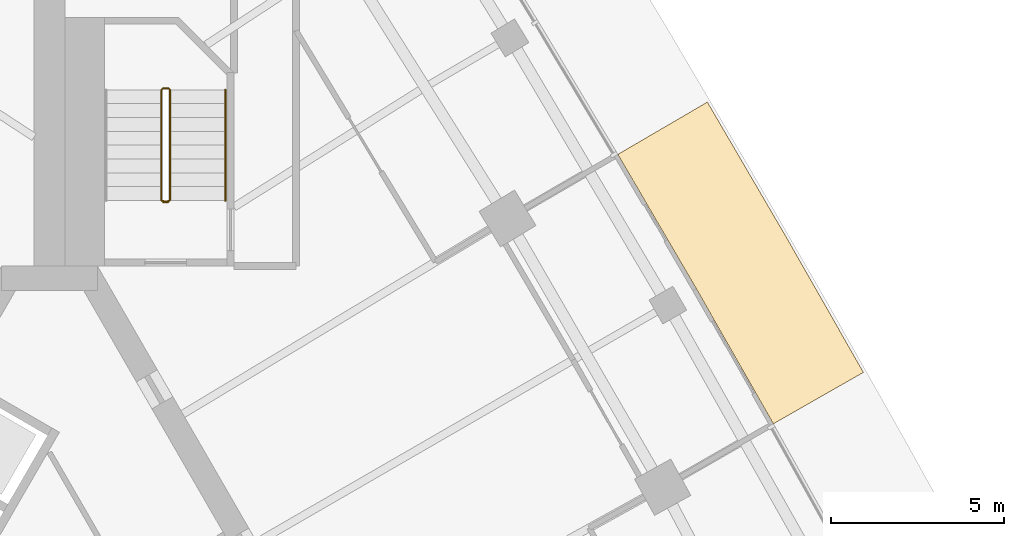
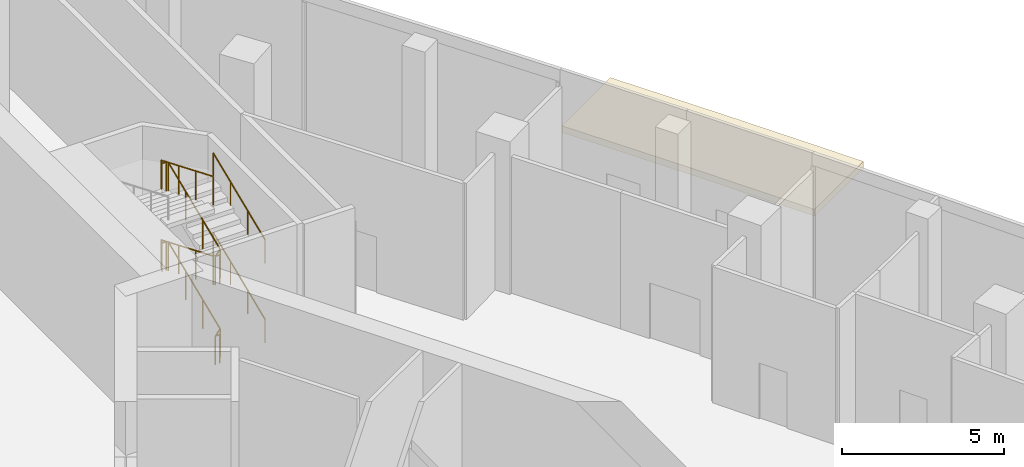
# One storey, part 13 of 14: 3 railings, 1 covering.
"""IFC4 building model written with IfcOpenShell, lengths in metres."""

from ifc_helpers import new_model, si_unit, direction, frame, origin, origin_2d, place, context, subcontext, project, spatial, polyline, circle, outline, extrude, material, layer, layer_set, type_object, element, save


model = new_model("IFC4")

# Units and contexts
model_context = context("Model", 3, precision=1e-05, world=origin(), true_north=direction((0.0, 1.0)))
body_context = subcontext(model_context, "Body", "Model", "MODEL_VIEW")
ifc_project = project(units=[si_unit("LENGTHUNIT", "METRE"), si_unit("AREAUNIT", "SQUARE_METRE"), si_unit("VOLUMEUNIT", "CUBIC_METRE"), si_unit("PLANEANGLEUNIT", "RADIAN"), si_unit("MASSUNIT", "GRAM", prefix="KILO")], contexts=[model_context])

# Site, building, storey
site_placement = place(None, origin())
site = spatial("IfcSite", under=ifc_project, at=site_placement, CompositionType="ELEMENT")
building_placement = place(site_placement, origin())
building = spatial("IfcBuilding", under=site, at=building_placement, Name="Noor Cloister Tower", CompositionType="ELEMENT")
storey_placement = place(building_placement, origin())
storey = spatial("IfcBuildingStorey", under=building, at=storey_placement, Name="L00", CompositionType="ELEMENT", Elevation=0.0)

# Railings
ifc_material_1 = material(Name="Stainless steel", Category="steel")
railing_type_1 = type_object("IfcRailingType", Name="Stair guard 1100", PredefinedType="GUARDRAIL", material=ifc_material_1)
railing_placement = place(storey_placement, frame((3.435546875, 13.306396484375, 0.0)))
element("IfcRailing", 1, at=railing_placement, inside=storey, type_object=railing_type_1, Name="Stair guard ST1 L00", PredefinedType="GUARDRAIL", context=body_context, shape_type="SweptSolid", body=[
    extrude(circle(Radius=0.02392578125, at=origin_2d()), frame((0.0, 0.0, 1.076171875), z_axis=(-1.0, 0.0, 0.0), x_axis=(0.0, -1.0, 0.0)), (0.0, 0.0, 1.0), 0.14990234375),
    extrude(circle(Radius=0.02392578125, at=origin_2d()), frame((-0.14990234375, 0.0, 1.076171875), z_axis=(0.754182335027, 0.188775798145, 0.628945707965), x_axis=(-0.242814311512, 0.970072785993, 0.0)), (0.0, 0.0, 1.0), 0.26513671875),
    extrude(circle(Radius=0.02392578125, at=origin_2d()), frame((0.050048828125, 0.050048828125, 1.24267578125), z_axis=(0.0, 0.923083173848, 0.384600382421), x_axis=(-1.0, 0.0, 0.0)), (0.0, 0.0, 1.0), 3.466552734375),
    extrude(circle(Radius=0.02392578125, at=origin_2d()), frame((0.050048828125, 3.25, 2.576171875), z_axis=(-0.707106781187, 0.707106781187, 0.0), x_axis=(-0.707106781187, -0.707106781187, 0.0)), (0.0, 0.0, 1.0), 0.07080078125),
    extrude(circle(Radius=0.02392578125, at=origin_2d()), frame((0.0, 3.300048828125, 2.576171875), z_axis=(-1.0, 0.0, 0.0), x_axis=(0.0, -1.0, 0.0)), (0.0, 0.0, 1.0), 0.14990234375),
    extrude(circle(Radius=0.02392578125, at=origin_2d()), frame((-0.14990234375, 3.300048828125, 2.576171875), z_axis=(-0.27628659633, -0.27628659633, 0.920506074601), x_axis=(0.707106781187, -0.707106781187, 0.0)), (0.0, 0.0, 1.0), 0.18115234375),
    extrude(circle(Radius=0.02392578125, at=origin_2d()), frame((-0.199951171875, 3.25, 2.74267578125), z_axis=(0.0, -0.923083173848, 0.384600382421), x_axis=(1.0, 0.0, 0.0)), (0.0, 0.0, 1.0), 3.466552734375),
    extrude(circle(Radius=0.02392578125, at=origin_2d()), frame((-0.199951171875, 0.050048828125, 4.076171875), z_axis=(0.970072785993, -0.242814311512, 0.0), x_axis=(0.242814311512, 0.970072785993, 0.0)), (0.0, 0.0, 1.0), 0.2060546875),
    extrude(circle(Radius=0.02392578125, at=origin_2d()), frame((0.0, 0.0, 4.076171875), z_axis=(-1.0, 0.0, 0.0), x_axis=(0.0, -1.0, 0.0)), (0.0, 0.0, 1.0), 0.14990234375),
    extrude(circle(Radius=0.02392578125, at=origin_2d()), frame((-0.14990234375, 0.0, 4.076171875), z_axis=(0.754182335027, 0.188775798145, 0.628945707965), x_axis=(-0.242814311512, 0.970072785993, 0.0)), (0.0, 0.0, 1.0), 0.26513671875),
    extrude(circle(Radius=0.02392578125, at=origin_2d()), frame((0.050048828125, 0.050048828125, 4.24267578125), z_axis=(0.0, 0.923083173848, 0.384600382421), x_axis=(-1.0, 0.0, 0.0)), (0.0, 0.0, 1.0), 3.466552734375),
    extrude(circle(Radius=0.02392578125, at=origin_2d()), frame((0.050048828125, 3.25, 5.576171875), z_axis=(-0.707106781187, 0.707106781187, 0.0), x_axis=(-0.707106781187, -0.707106781187, 0.0)), (0.0, 0.0, 1.0), 0.07080078125),
    extrude(circle(Radius=0.02392578125, at=origin_2d()), frame((0.0, 3.300048828125, 5.576171875), z_axis=(-1.0, 0.0, 0.0), x_axis=(0.0, -1.0, 0.0)), (0.0, 0.0, 1.0), 0.14990234375),
    extrude(circle(Radius=0.02392578125, at=origin_2d()), frame((-0.14990234375, 3.300048828125, 5.576171875), z_axis=(-0.27628659633, -0.27628659633, 0.920506074601), x_axis=(0.707106781187, -0.707106781187, 0.0)), (0.0, 0.0, 1.0), 0.18115234375),
    extrude(circle(Radius=0.02392578125, at=origin_2d()), frame((-0.199951171875, 3.25, 5.74267578125), z_axis=(0.0, -0.923083173848, 0.384600382421), x_axis=(1.0, 0.0, 0.0)), (0.0, 0.0, 1.0), 3.466552734375),
    extrude(circle(Radius=0.02099609375, at=origin_2d()), origin(), (0.0, 0.0, 1.0), 1.052001953125),
    extrude(circle(Radius=0.02099609375, at=origin_2d()), frame((-0.14990234375, 0.0, 0.0)), (0.0, 0.0, 1.0), 1.052001953125),
    extrude(circle(Radius=0.02099609375, at=origin_2d()), frame((0.050048828125, 0.050048828125, 0.166748046875)), (0.0, 0.0, 1.0), 1.052001953125),
    extrude(circle(Radius=0.02099609375, at=origin_2d()), frame((0.050048828125, 1.11669921875, 0.611083984375)), (0.0, 0.0, 1.0), 1.052001953125),
    extrude(circle(Radius=0.02099609375, at=origin_2d()), frame((0.050048828125, 2.183349609375, 1.0556640625)), (0.0, 0.0, 1.0), 1.052001953125),
    extrude(circle(Radius=0.02099609375, at=origin_2d()), frame((0.050048828125, 3.25, 1.5)), (0.0, 0.0, 1.0), 1.052001953125),
    extrude(circle(Radius=0.02099609375, at=origin_2d()), frame((0.0, 3.300048828125, 1.5)), (0.0, 0.0, 1.0), 1.052001953125),
    extrude(circle(Radius=0.02099609375, at=origin_2d()), frame((-0.14990234375, 3.300048828125, 1.5)), (0.0, 0.0, 1.0), 1.052001953125),
    extrude(circle(Radius=0.02099609375, at=origin_2d()), frame((-0.199951171875, 3.25, 1.666748046875)), (0.0, 0.0, 1.0), 1.052001953125),
    extrude(circle(Radius=0.02099609375, at=origin_2d()), frame((-0.199951171875, 2.183349609375, 2.111083984375)), (0.0, 0.0, 1.0), 1.052001953125),
    extrude(circle(Radius=0.02099609375, at=origin_2d()), frame((-0.199951171875, 1.11669921875, 2.5556640625)), (0.0, 0.0, 1.0), 1.052001953125),
    extrude(circle(Radius=0.02099609375, at=origin_2d()), frame((-0.199951171875, 0.050048828125, 3.0)), (0.0, 0.0, 1.0), 1.052001953125),
    extrude(circle(Radius=0.02099609375, at=origin_2d()), frame((0.0, 0.0, 3.0)), (0.0, 0.0, 1.0), 1.052001953125),
    extrude(circle(Radius=0.02099609375, at=origin_2d()), frame((-0.14990234375, 0.0, 3.0)), (0.0, 0.0, 1.0), 1.052001953125),
    extrude(circle(Radius=0.02099609375, at=origin_2d()), frame((0.050048828125, 0.050048828125, 3.166748046875)), (0.0, 0.0, 1.0), 1.052001953125),
    extrude(circle(Radius=0.02099609375, at=origin_2d()), frame((0.050048828125, 1.11669921875, 3.611083984375)), (0.0, 0.0, 1.0), 1.052001953125),
    extrude(circle(Radius=0.02099609375, at=origin_2d()), frame((0.050048828125, 2.183349609375, 4.0556640625)), (0.0, 0.0, 1.0), 1.052001953125),
    extrude(circle(Radius=0.02099609375, at=origin_2d()), frame((0.050048828125, 3.25, 4.5)), (0.0, 0.0, 1.0), 1.052001953125),
    extrude(circle(Radius=0.02099609375, at=origin_2d()), frame((0.0, 3.300048828125, 4.5)), (0.0, 0.0, 1.0), 1.052001953125),
    extrude(circle(Radius=0.02099609375, at=origin_2d()), frame((-0.14990234375, 3.300048828125, 4.5)), (0.0, 0.0, 1.0), 1.052001953125),
    extrude(circle(Radius=0.02099609375, at=origin_2d()), frame((-0.199951171875, 3.25, 4.666748046875)), (0.0, 0.0, 1.0), 1.052001953125),
    extrude(circle(Radius=0.02099609375, at=origin_2d()), frame((-0.199951171875, 2.183349609375, 5.111083984375)), (0.0, 0.0, 1.0), 1.052001953125),
    extrude(circle(Radius=0.02099609375, at=origin_2d()), frame((-0.199951171875, 1.11669921875, 5.5556640625)), (0.0, 0.0, 1.0), 1.052001953125),
    extrude(circle(Radius=0.02099609375, at=origin_2d()), frame((-0.199951171875, 0.050048828125, 6.0)), (0.0, 0.0, 1.0), 1.052001953125),
])
ifc_material_2 = material(Name="Stainless steel", Category="steel")
railing_type_2 = type_object("IfcRailingType", Name="Stair handrail 900", PredefinedType="HANDRAIL", material=ifc_material_2)
for number, where, name in (
    (2, (5.085693359375, 13.3564453125, 0.166748046875), "Stair handrail ST1 L00 1"),
    (3, (5.085693359375, 13.3564453125, 3.166748046875), "Stair handrail ST1 L00 3"),
):
    element("IfcRailing", number, at=place(storey_placement, frame(where)), inside=storey, type_object=railing_type_2, Name=name, PredefinedType="HANDRAIL", context=body_context, shape_type="SweptSolid", body=[
        extrude(circle(Radius=0.02392578125, at=origin_2d()), frame((0.0, 0.0, 0.8759765625), z_axis=(0.0, 0.923083173848, 0.384600382421), x_axis=(-1.0, 0.0, 0.0)), (0.0, 0.0, 1.0), 3.466552734375),
        extrude(circle(Radius=0.02099609375, at=origin_2d()), origin(), (0.0, 0.0, 1.0), 0.851806640625),
        extrude(circle(Radius=0.02099609375, at=origin_2d()), frame((0.0, 1.066650390625, 0.4443359375)), (0.0, 0.0, 1.0), 0.851806640625),
        extrude(circle(Radius=0.02099609375, at=origin_2d()), frame((0.0, 2.13330078125, 0.888916015625)), (0.0, 0.0, 1.0), 0.851806640625),
        extrude(circle(Radius=0.02099609375, at=origin_2d()), frame((0.0, 3.199951171875, 1.333251953125)), (0.0, 0.0, 1.0), 0.851806640625),
    ])

# Covering
ifc_material_3 = material(Name="Aluminium standing seam roofing", Category="aluminium")
ifc_layer = layer(ifc_material_3, 0.25)
ifc_layer_set = layer_set([ifc_layer], Name="Station entrance canopy")
covering_type = type_object("IfcCoveringType", Name="Station entrance canopy", PredefinedType="ROOFING", material=ifc_layer_set)
covering_placement = place(storey_placement, frame((0.0, 0.0, 3.300048828125)))
element("IfcCovering", 4, at=covering_placement, inside=storey, type_object=covering_type, Name="Station entrance canopy NE", PredefinedType="ROOFING", context=body_context, shape_type="SweptSolid", body=[
    extrude(outline(polyline([(23.548095703125, 8.381591796875), (21.310546875, 12.3037109375), (19.03271484375, 16.202392578125), (16.4423828125, 14.689208984375), (18.71240234375, 10.8037109375), (20.9423828125, 6.89501953125), (23.548095703125, 8.381591796875)])), origin(), (0.0, 0.0, 1.0), 0.25),
])

save(model, "model.ifc")
